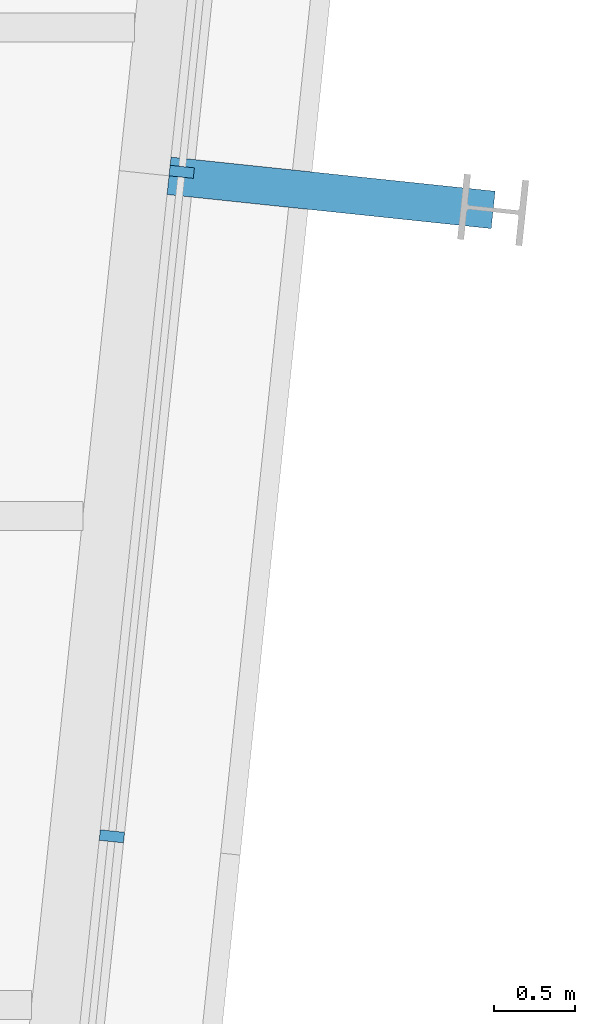
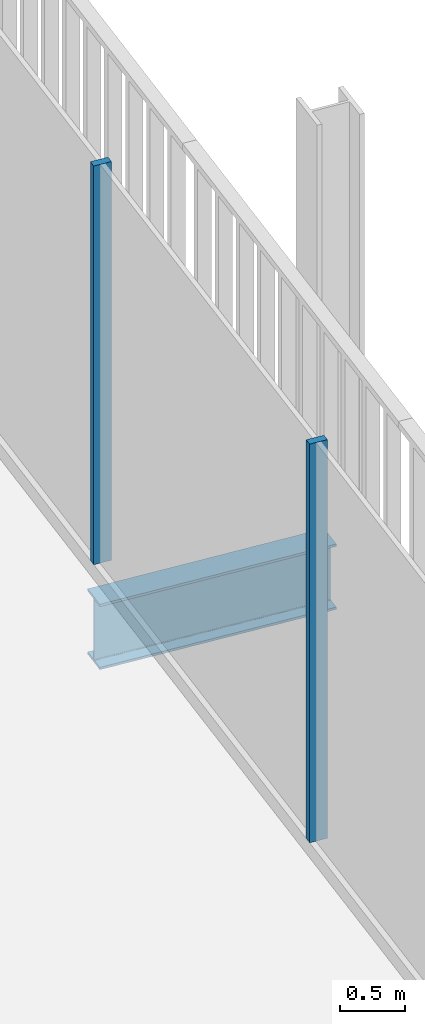
# One storey, part 11 of 20: 2 members, 1 beam, 1 element without a shape of its own.
"""IFC4 building model written with IfcOpenShell, lengths in metres."""

import ifcopenshell
import ifcopenshell.guid

model = None  # the IFC model being written
_history = None  # IfcOwnerHistory: only IFC2X3 demands one
_inside = {}  # id of a spatial element -> (the spatial element, [elements in it])
_under = {}  # id of a project, library or spatial element -> (it, [spatial elements below it])
_declared = {}  # id of a project -> (the project, [libraries it declares])
_typed = {}  # id of a type object -> (the type object, [elements of that type])
_made_of = {}  # id of a material, layer set ... -> (it, [elements and type objects made of it])


def new_model(schema):
    """Start an empty IFC model of exactly this schema.

    Asked for "IFC4X3", IfcOpenShell would pick the latest addendum, in which some entities
    have other attributes; the version numbers below select the first issue.
    IFC2X3 requires an IfcOwnerHistory on every rooted entity: one is made here for all.
    """
    global model, _history
    if schema == "IFC4X3":
        model = ifcopenshell.file(schema_version=(4, 3, 0, 0))
    else:
        model = ifcopenshell.file(schema=schema)
    _inside.clear()
    _under.clear()
    _declared.clear()
    _typed.clear()
    _made_of.clear()
    _history = None
    if model.schema == "IFC2X3":
        org = make("IfcOrganization", Name="unknown")
        user = make(
            "IfcPersonAndOrganization",
            ThePerson=make("IfcPerson", FamilyName="unknown"),
            TheOrganization=org,
        )
        app = make(
            "IfcApplication",
            ApplicationDeveloper=org,
            Version="unknown",
            ApplicationFullName="unknown",
            ApplicationIdentifier="unknown",
        )
        _history = make(
            "IfcOwnerHistory",
            OwningUser=user,
            OwningApplication=app,
            ChangeAction="ADDED",
            CreationDate=0,
        )
    return model


def make(cls, **values):
    """One entity of the class cls with the attributes given. An attribute that is None is left unset."""
    return model.create_entity(
        cls, **{name: value for name, value in values.items() if value is not None}
    )


def rooted(cls, **values):
    """An entity with a GlobalId (a new one), such as an element, a storey or a relation."""
    return make(cls, GlobalId=ifcopenshell.guid.new(), OwnerHistory=_history, **values)


def si_unit(unit_type, name, prefix=None):
    """IfcSIUnit, for example si_unit("LENGTHUNIT", "METRE", prefix="MILLI")."""
    return make("IfcSIUnit", UnitType=unit_type, Prefix=prefix, Name=name)


def assignment(units):
    """IfcUnitAssignment: the units of a project."""
    return None if units is None else make("IfcUnitAssignment", Units=units)


def point(xyz):
    """IfcCartesianPoint."""
    return None if xyz is None else make("IfcCartesianPoint", Coordinates=xyz)


def direction(xyz):
    """IfcDirection."""
    return None if xyz is None else make("IfcDirection", DirectionRatios=xyz)


def frame(location, z_axis=None, x_axis=None):
    """IfcAxis2Placement3D, a coordinate frame: its origin and axes. An axis left out is left unset."""
    return make(
        "IfcAxis2Placement3D",
        Location=point(location),
        Axis=direction(z_axis),
        RefDirection=direction(x_axis),
    )


def frame_2d(location, x_axis=None):
    """IfcAxis2Placement2D, a coordinate frame in the plane: its origin and x axis."""
    return make(
        "IfcAxis2Placement2D", Location=point(location), RefDirection=direction(x_axis)
    )


def origin():
    """The frame at (0, 0, 0) with its axes left unset."""
    return frame((0.0, 0.0, 0.0))


def origin_2d():
    """The frame at (0, 0) in the plane with its x axis left unset."""
    return frame_2d((0.0, 0.0))


def place(relative_to, where):
    """IfcLocalPlacement: puts the frame where relative to a parent placement (None: the world)."""
    return make(
        "IfcLocalPlacement", PlacementRelTo=relative_to, RelativePlacement=where
    )


def context(
    kind, dimensions, precision=None, world=None, true_north=None, identifier=None
):
    """IfcGeometricRepresentationContext, for example the 3D "Model" context."""
    return make(
        "IfcGeometricRepresentationContext",
        ContextIdentifier=identifier,
        ContextType=kind,
        CoordinateSpaceDimension=dimensions,
        Precision=precision,
        WorldCoordinateSystem=world,
        TrueNorth=true_north,
    )


def subcontext(parent, identifier, kind, view, scale=None):
    """IfcGeometricRepresentationSubContext, for example "Body" below "Model"."""
    return make(
        "IfcGeometricRepresentationSubContext",
        ContextIdentifier=identifier,
        ContextType=kind,
        ParentContext=parent,
        TargetScale=scale,
        TargetView=view,
    )


def project(units=None, contexts=None):
    """IfcProject with its units and contexts."""
    return rooted(
        "IfcProject",
        Name="project",
        RepresentationContexts=contexts,
        UnitsInContext=assignment(units),
    )


def spatial(cls, under=None, at=None, **own):
    """A site, building, storey or space (cls), placed at a placement, below another one or the project."""
    s = rooted(cls, ObjectPlacement=at, **own)
    if under is not None:
        _under.setdefault(under.id(), (under, []))[1].append(s)
    return s


def profile(cls, at=None, kind="AREA", **sizes):
    """A parametric profile (cls). Its sizes go by their IFC names, for example OverallWidth=200.0."""
    return make(cls, ProfileType=kind, Position=at, **sizes)


def rectangle(**sizes):
    """IfcRectangleProfileDef."""
    return profile("IfcRectangleProfileDef", **sizes)


def i_section(**sizes):
    """IfcIShapeProfileDef."""
    return profile("IfcIShapeProfileDef", **sizes)


def extrude(swept, where, along, depth):
    """IfcExtrudedAreaSolid: the profile swept, set in the frame where, extruded along a direction by depth."""
    return make(
        "IfcExtrudedAreaSolid",
        SweptArea=swept,
        Position=where,
        ExtrudedDirection=direction(along),
        Depth=depth,
    )


def shape(context_of_items, identifier, shape_type, items):
    """IfcShapeRepresentation: the items that make up one representation, for example the "Body"."""
    return make(
        "IfcShapeRepresentation",
        ContextOfItems=context_of_items,
        RepresentationIdentifier=identifier,
        RepresentationType=shape_type,
        Items=items,
    )


def material(Name=None, Category=None):
    """IfcMaterial."""
    return make("IfcMaterial", Name=Name, Category=Category)


def layer(
    of_material, thickness, ventilated=None, Name=None, Category=None, Priority=None
):
    """IfcMaterialLayer: one layer of a wall or slab, of a material (None: an air gap)."""
    return make(
        "IfcMaterialLayer",
        Material=of_material,
        LayerThickness=thickness,
        IsVentilated=ventilated,
        Name=Name,
        Category=Category,
        Priority=Priority,
    )


def layer_set(layers, Name=None):
    """IfcMaterialLayerSet."""
    return make("IfcMaterialLayerSet", MaterialLayers=layers, LayerSetName=Name)


def material_profile(
    of_material, cross_section, Name=None, Category=None, Priority=None
):
    """IfcMaterialProfile: a cross section and its material."""
    return make(
        "IfcMaterialProfile",
        Name=Name,
        Material=of_material,
        Profile=cross_section,
        Priority=Priority,
        Category=Category,
    )


def profile_set(profiles, Name=None, composite=None):
    """IfcMaterialProfileSet."""
    return make(
        "IfcMaterialProfileSet",
        Name=Name,
        MaterialProfiles=profiles,
        CompositeProfile=composite,
    )


def made_of(thing, what):
    """Note that an element or type object is made of a material, layer set ...; save() writes the relation."""
    if what is not None:
        _made_of.setdefault(what.id(), (what, []))[1].append(thing)
    return thing


def type_object(cls, material=None, **own):
    """A type object (cls), such as IfcWallType, which elements share."""
    return made_of(rooted(cls, **own), material)


def element(
    cls,
    number,
    at=None,
    inside=None,
    cuts=None,
    type_object=None,
    material=None,
    context=None,
    identifier="Body",
    shape_type=None,
    held_by="IfcProductDefinitionShape",
    body=None,
    shapes=None,
    **own,
):
    """One element of the class cls, such as IfcWall. Its Tag is "e" and its number.

    at: its placement. inside: the storey or other place that contains it. cuts: it is an
    opening in that element (IfcRelVoidsElement). A single representation is given by context,
    identifier, shape_type and body (its items); several are given by shapes. held_by: the class
    of the entity that holds the representations. save() writes the other relations.
    """
    e = rooted(cls, Tag="e%d" % number, ObjectPlacement=at, **own)
    if body is not None:
        shapes = [shape(context, identifier, shape_type, body)]
    if shapes is not None:
        e.Representation = make(held_by, Representations=shapes)
    if inside is not None:
        _inside.setdefault(inside.id(), (inside, []))[1].append(e)
    if cuts is not None:
        rooted(
            "IfcRelVoidsElement", RelatingBuildingElement=cuts, RelatedOpeningElement=e
        )
    if type_object is not None:
        _typed.setdefault(type_object.id(), (type_object, []))[1].append(e)
    return made_of(e, material)


def aggregate(whole, parts):
    """IfcRelAggregates: a whole, such as a stair, and the parts it consists of."""
    return rooted("IfcRelAggregates", RelatingObject=whole, RelatedObjects=parts)


def save(model, path):
    """Write the relations noted so far, then the file.

    IfcRelAggregates (storeys below a building ...), IfcRelContainedInSpatialStructure (elements
    in a storey), IfcRelDefinesByType, IfcRelAssociatesMaterial and IfcRelDeclares: one each for
    every whole, place, type object, material and project.
    """
    for whole, parts in _under.values():
        aggregate(whole, parts)
    for where, things in _inside.values():
        rooted(
            "IfcRelContainedInSpatialStructure",
            RelatedElements=things,
            RelatingStructure=where,
        )
    for kind, things in _typed.values():
        rooted("IfcRelDefinesByType", RelatedObjects=things, RelatingType=kind)
    for what, things in _made_of.values():
        rooted("IfcRelAssociatesMaterial", RelatedObjects=things, RelatingMaterial=what)
    for by, libraries in _declared.values():
        rooted("IfcRelDeclares", RelatingContext=by, RelatedDefinitions=libraries)
    model.write(path)


model = new_model("IFC4")

# Units and contexts
model_context = context("Model", 3, precision=1e-05, world=origin(), true_north=direction((0.0, 1.0)))
body_context = subcontext(model_context, "Body", "Model", "MODEL_VIEW")
ifc_project = project(units=[si_unit("LENGTHUNIT", "METRE"), si_unit("AREAUNIT", "SQUARE_METRE"), si_unit("VOLUMEUNIT", "CUBIC_METRE"), si_unit("PLANEANGLEUNIT", "RADIAN"), si_unit("MASSUNIT", "GRAM", prefix="KILO")], contexts=[model_context])

# Site, building, storey
site_placement = place(None, origin())
site = spatial("IfcSite", under=ifc_project, at=site_placement, CompositionType="ELEMENT")
building_placement = place(site_placement, origin())
building = spatial("IfcBuilding", under=site, at=building_placement, Name="Millrace Tower", CompositionType="ELEMENT")
storey_placement = place(building_placement, frame((0.0, 0.0, 303.300048828125)))
storey = spatial("IfcBuildingStorey", under=building, at=storey_placement, Name="L70", CompositionType="ELEMENT", Elevation=303.300048828125)

# Curtain wall, members
ifc_material_1 = material(Name="Aluminium and glass", Category="aluminium")
ifc_layer = layer(ifc_material_1, 0.14990234375)
ifc_layer_set = layer_set([ifc_layer], Name="Aluminium and glass")
curtain_wall_type = type_object("IfcCurtainWallType", Name="CW-1 office vision curtain wall", PredefinedType="NOTDEFINED", material=ifc_layer_set)
curtain_wall_placement = place(storey_placement, origin())
curtain_wall = element("IfcCurtainWall", 1, at=curtain_wall_placement, inside=storey, type_object=curtain_wall_type, Name="Curtain wall E-F04 L70", PredefinedType="NOTDEFINED")
ifc_material_2 = material(Name="Aluminium", Category="aluminium")
ifc_material_profile_1 = material_profile(ifc_material_2, rectangle(XDim=0.06494140625, YDim=0.14990234375, at=origin_2d()))
ifc_profile_set_1 = profile_set([ifc_material_profile_1], Name="Aluminium")
member_type = type_object("IfcMemberType", Name="CW-1 office vision curtain wall mullion", PredefinedType="MULLION", material=ifc_profile_set_1)
member_1_placement = place(storey_placement, frame((23.11767578125, 4.03515625, 0.139892578125), z_axis=(0.0, 0.0, 1.0), x_axis=(0.104528455196, 0.994521896217, 0.0)))
member_1 = element("IfcMember", 2, at=member_1_placement, type_object=member_type, Name="CW1 mullion E-F04.6", PredefinedType="MULLION", context=body_context, shape_type="SweptSolid", body=[
    extrude(rectangle(XDim=0.06494140625, YDim=0.14990234375, at=origin_2d()), origin(), (0.0, 0.0, 1.0), 3.760009765625),
])
member_2_placement = place(storey_placement, frame((23.546142578125, 8.11279296875, 0.139892578125), z_axis=(0.0, 0.0, 1.0), x_axis=(0.104528455196, 0.994521896217, 0.0)))
member_2 = element("IfcMember", 3, at=member_2_placement, type_object=member_type, Name="CW1 mullion E-F04.7", PredefinedType="MULLION", context=body_context, shape_type="SweptSolid", body=[
    extrude(rectangle(XDim=0.06494140625, YDim=0.14990234375, at=origin_2d()), origin(), (0.0, 0.0, 1.0), 3.760009765625),
])
aggregate(curtain_wall, [member_1, member_2])

# Beam
ifc_material_3 = material(Name="Steel ASTM A992 Grade 50", Category="steel")
ifc_material_profile_2 = material_profile(ifc_material_3, i_section(OverallWidth=0.23046875, OverallDepth=0.6171875, WebThickness=0.01318359375, FlangeThickness=0.022216796875, FilletRadius=0.012939453125, at=origin_2d()))
ifc_profile_set_2 = profile_set([ifc_material_profile_2], Name="Steel ASTM A992 Grade 50")
beam_type = type_object("IfcBeamType", Name="Link beam W24x94", PredefinedType="BEAM", material=ifc_profile_set_2)
beam_placement = place(storey_placement, frame((23.46826171875, 8.08837890625, -0.46875), z_axis=(0.994512808172, -0.104614886044, 0.0), x_axis=(0.104614886044, 0.994512808172, 0.0)))
element("IfcBeam", 4, at=beam_placement, inside=storey, type_object=beam_type, Name="LNK-E-L70-S1-10", PredefinedType="BEAM", context=body_context, shape_type="SweptSolid", body=[
    extrude(i_section(OverallWidth=0.23046875, OverallDepth=0.6171875, WebThickness=0.01318359375, FlangeThickness=0.022216796875, FilletRadius=0.012939453125, at=origin_2d()), origin(), (0.0, 0.0, 1.0), 2.0),
])

save(model, "model.ifc")
